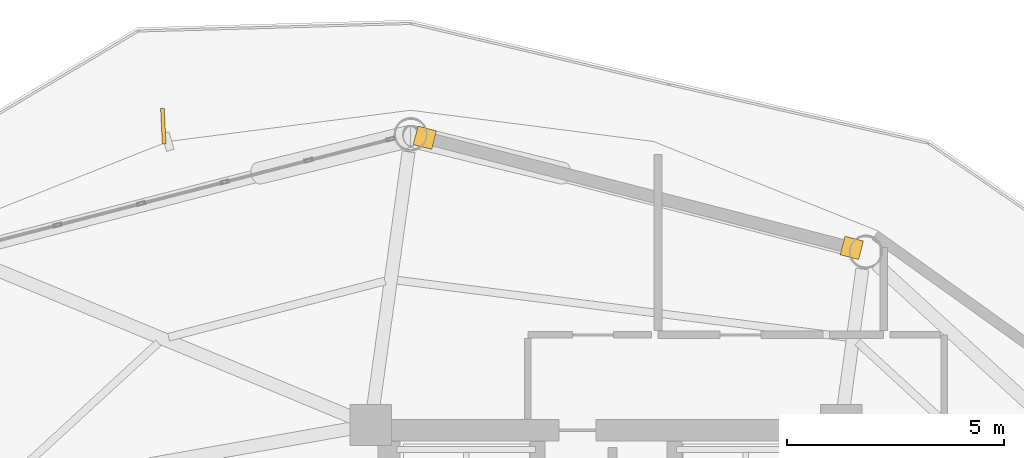
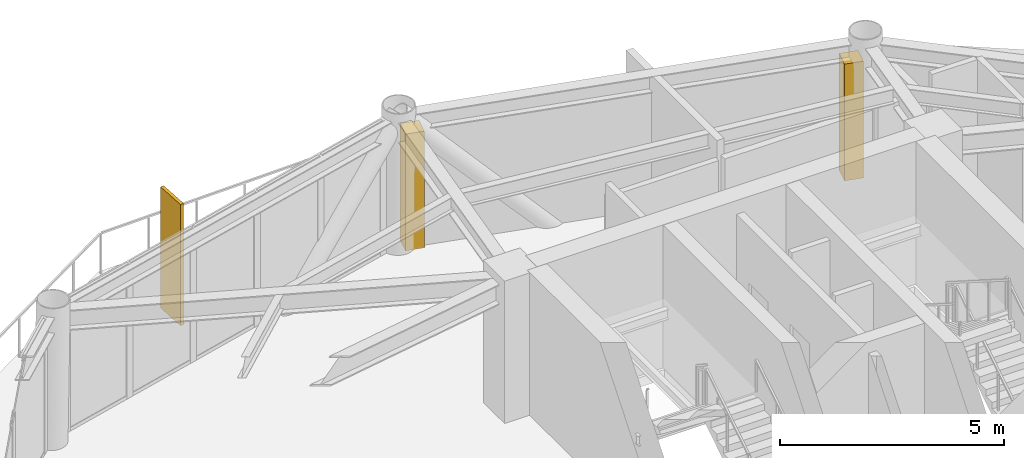
# One storey, part 23 of 23: 2 coverings, 1 shading device.
"""IFC4 building model written with IfcOpenShell, lengths in metres."""

from ifc_helpers import new_model, si_unit, direction, frame, origin, origin_2d, place, context, subcontext, project, spatial, rectangle, extrude, source, transform, mapped, material, layer, layer_set, type_object, type_shapes, element, save


model = new_model("IFC4")

# Units and contexts
model_context = context("Model", 3, precision=1e-05, world=origin(), true_north=direction((0.0, 1.0)))
body_context = subcontext(model_context, "Body", "Model", "MODEL_VIEW")
ifc_project = project(units=[si_unit("LENGTHUNIT", "METRE"), si_unit("AREAUNIT", "SQUARE_METRE"), si_unit("VOLUMEUNIT", "CUBIC_METRE"), si_unit("PLANEANGLEUNIT", "RADIAN"), si_unit("MASSUNIT", "GRAM", prefix="KILO")], contexts=[model_context])

# Site, building, storey
site_placement = place(None, origin())
site = spatial("IfcSite", under=ifc_project, at=site_placement, CompositionType="ELEMENT")
building_placement = place(site_placement, origin())
building = spatial("IfcBuilding", under=site, at=building_placement, Name="Varnakorn Sky Granary", CompositionType="ELEMENT")
storey_placement = place(building_placement, frame((0.0, 0.0, 130.5)))
storey = spatial("IfcBuildingStorey", under=building, at=storey_placement, Name="L32", CompositionType="ELEMENT", Elevation=130.5)

# Shading device
ifc_material = material(Name="Anodised Bronze Aluminium Alloy 6063-T6", Category="aluminium")
shading_device_type = type_object("IfcShadingDeviceType", Name="SH-FIN-02", PredefinedType="USERDEFINED", material=ifc_material)
shared_shape_1 = source(origin(), body_context, "Body", "SweptSolid", [
    extrude(rectangle(XDim=0.0849609375, YDim=0.820068359375, at=origin_2d()), origin(), (0.0, 0.0, 1.0), 3.300048828125),
])
type_shapes(shading_device_type, [shared_shape_1])
shading_device_placement = place(storey_placement, frame((-7.20263671875, 19.509765625, -0.0400390625), z_axis=(0.0, 0.0, 1.0), x_axis=(-0.998795824876, -0.049060169281, 0.0)))
element("IfcShadingDevice", 1, at=shading_device_placement, inside=storey, type_object=shading_device_type, Name="Bronze Solar-Tracking Vertical Blade FIN L32-04", ObjectType="FIN", PredefinedType="USERDEFINED", context=body_context, shape_type="MappedRepresentation", body=[
    mapped(shared_shape_1, transform((0.0, 0.0, 0.0), x_axis=(1.0, 0.0, 0.0), y_axis=(0.0, 1.0, 0.0), z_axis=(0.0, 0.0, 1.0), scale=1.0)),
])

# Coverings
ifc_layer = layer(ifc_material, 0.050048828125, Name="Anodised Bronze Aluminium Alloy 6063-T6")
ifc_layer_set = layer_set([ifc_layer], Name="Anodised Bronze Aluminium Alloy 6063-T6")
covering_type = type_object("IfcCoveringType", Name="CV-CLAD-50", PredefinedType="CLADDING", material=ifc_layer_set)
shared_shape_2 = source(origin(), body_context, "Body", "SweptSolid", [
    extrude(rectangle(XDim=0.43994140625, YDim=0.43994140625, at=origin_2d()), origin(), (0.0, 0.0, 1.0), 3.179931640625),
])
type_shapes(covering_type, [shared_shape_2])
for number, where, z_axis, x_axis, name in (
    (2, (-1.174560546875, 19.2421875, -0.02001953125), (0.0, 0.0, 1.0), (0.96832220265, -0.249704048534, 0.0), "Bronze Corner Pilaster Closure L32-P03-A"),
    (3, (8.66552734375, 16.703857421875, -0.02001953125), (0.0, 0.0, 1.0), (0.96832220265, -0.249704048534, 0.0), "Bronze Corner Pilaster Closure L32-P03-B"),
):
    element("IfcCovering", number, at=place(storey_placement, frame(where, z_axis=z_axis, x_axis=x_axis)), inside=storey, type_object=covering_type, Name=name, PredefinedType="CLADDING", context=body_context, shape_type="MappedRepresentation", body=[
        mapped(shared_shape_2, transform((0.0, 0.0, 0.0), x_axis=(1.0, 0.0, 0.0), y_axis=(0.0, 1.0, 0.0), z_axis=(0.0, 0.0, 1.0), scale=1.0)),
    ])

save(model, "model.ifc")
